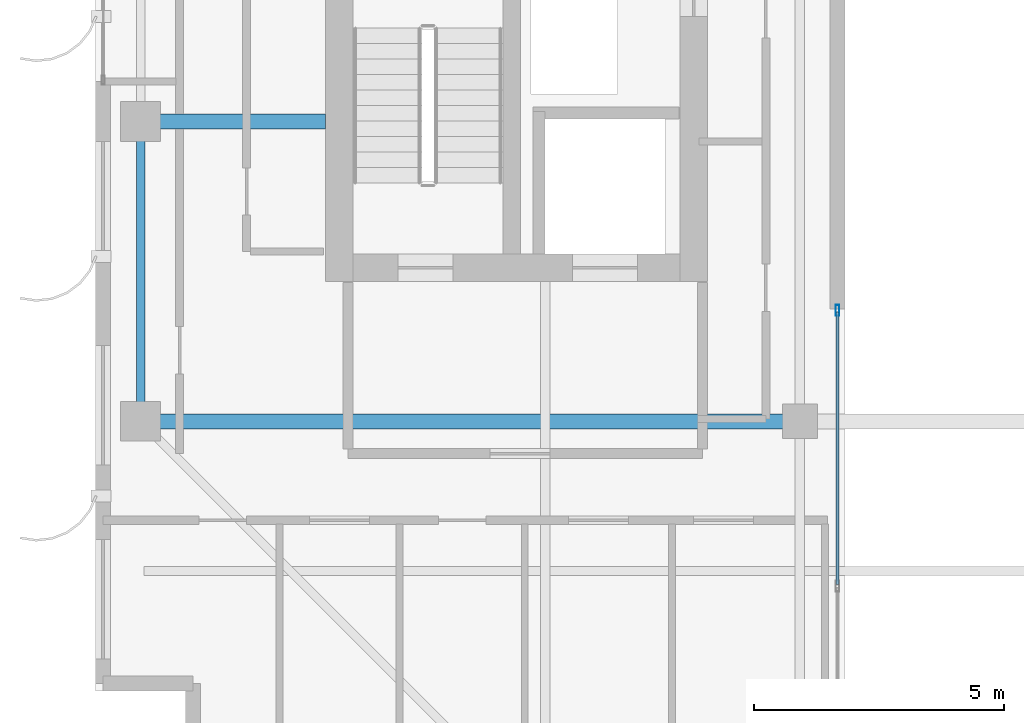
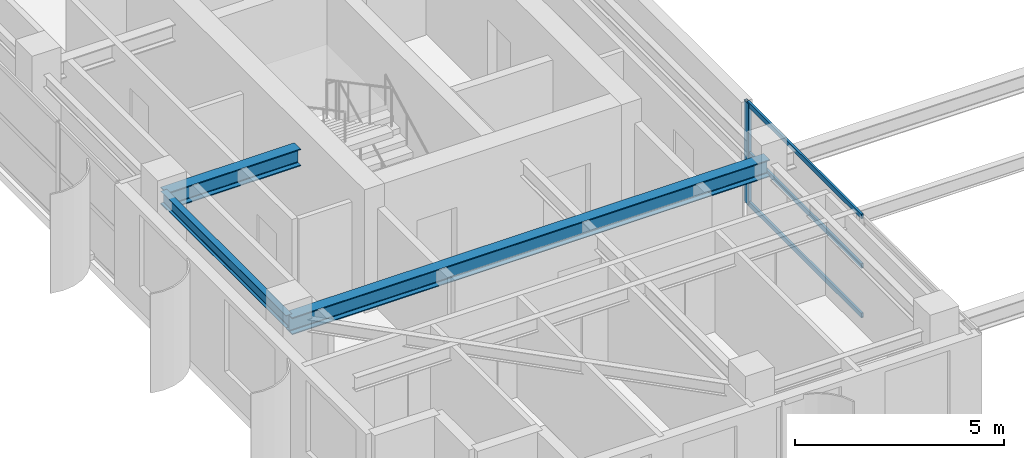
# One storey, part 3 of 25: 4 members, 3 beams, 1 element without a shape of its own.
"""IFC4 building model written with IfcOpenShell, lengths in metres."""

from ifc_helpers import new_model, si_unit, direction, frame, origin, origin_2d, place, context, subcontext, project, spatial, hollow_rectangle, i_section, extrude, source, transform, mapped, material, layer, layer_set, material_profile, profile_set, type_object, element, aggregate, save


model = new_model("IFC4")

# Units and contexts
model_context = context("Model", 3, precision=1e-05, world=origin(), true_north=direction((0.0, 1.0)))
body_context = subcontext(model_context, "Body", "Model", "MODEL_VIEW")
ifc_project = project(units=[si_unit("LENGTHUNIT", "METRE"), si_unit("AREAUNIT", "SQUARE_METRE"), si_unit("VOLUMEUNIT", "CUBIC_METRE"), si_unit("PLANEANGLEUNIT", "RADIAN"), si_unit("MASSUNIT", "GRAM", prefix="KILO")], contexts=[model_context])

# Site, building, storey
site_placement = place(None, origin())
site = spatial("IfcSite", under=ifc_project, at=site_placement, CompositionType="ELEMENT")
building_placement = place(site_placement, origin())
building = spatial("IfcBuilding", under=site, at=building_placement, Name="Khoralis Quay Care Tower", CompositionType="ELEMENT")
storey_placement = place(building_placement, frame((0.0, 0.0, 263.699951171875)))
storey = spatial("IfcBuildingStorey", under=building, at=storey_placement, Name="L69", CompositionType="ELEMENT", Elevation=263.699951171875)

# Beams
ifc_material_1 = material(Name="Steel S355", Category="steel")
ifc_material_profile_1 = material_profile(ifc_material_1, i_section(OverallWidth=0.169921875, OverallDepth=0.360107421875, WebThickness=0.008056640625, FlangeThickness=0.0126953125, FilletRadius=0.01806640625, at=origin_2d()), Name="Steel S355")
ifc_profile_set_1 = profile_set([ifc_material_profile_1], Name="Steel S355")
beam_type_1 = type_object("IfcBeamType", Name="BM-IPE360", PredefinedType="SPANDREL", material=ifc_profile_set_1)
shared_shape_1 = source(origin(), body_context, "Body", "SweptSolid", [
    extrude(i_section(OverallWidth=0.169921875, OverallDepth=0.360107421875, WebThickness=0.008056640625, FlangeThickness=0.0126953125, FilletRadius=0.01806640625, at=origin_2d()), origin(), (0.0, 0.0, 1.0), 6.0),
])
beam_1_placement = place(storey_placement, frame((3.89990234375, 12.0, 2.77001953125), z_axis=(0.0, 1.0, 0.0), x_axis=(-1.0, 0.0, 0.0)))
element("IfcBeam", 1, at=beam_1_placement, inside=storey, type_object=beam_type_1, Name="BM-TSP-L69-07", PredefinedType="SPANDREL", context=body_context, shape_type="MappedRepresentation", body=[
    mapped(shared_shape_1, transform((0.0, 0.0, 0.0), scale=1.0)),
])
ifc_material_profile_2 = material_profile(ifc_material_1, i_section(OverallWidth=0.300048828125, OverallDepth=0.5, WebThickness=0.014404296875, FlangeThickness=0.028076171875, FilletRadius=0.027099609375, at=origin_2d()), Name="Steel S355")
ifc_profile_set_2 = profile_set([ifc_material_profile_2], Name="Steel S355")
beam_type_2 = type_object("IfcBeamType", Name="BM-HEB500", PredefinedType="BEAM", material=ifc_profile_set_2)
shared_shape_2 = source(origin(), body_context, "Body", "SweptSolid", [
    extrude(i_section(OverallWidth=0.300048828125, OverallDepth=0.5, WebThickness=0.014404296875, FlangeThickness=0.028076171875, FilletRadius=0.027099609375, at=origin_2d()), origin(), (0.0, 0.0, 1.0), 13.2001953125),
])
beam_2_placement = place(storey_placement, frame((3.89990234375, 12.0, 2.699951171875), z_axis=(1.0, 0.0, 0.0), x_axis=(0.0, 1.0, 0.0)))
element("IfcBeam", 2, at=beam_2_placement, inside=storey, type_object=beam_type_2, Name="BM-TGXW-L69-120", PredefinedType="BEAM", context=body_context, shape_type="MappedRepresentation", body=[
    mapped(shared_shape_2, transform((0.0, 0.0, 0.0), scale=1.0)),
])
shared_shape_3 = source(origin(), body_context, "Body", "SweptSolid", [
    extrude(i_section(OverallWidth=0.300048828125, OverallDepth=0.5, WebThickness=0.014404296875, FlangeThickness=0.028076171875, FilletRadius=0.027099609375, at=origin_2d()), origin(), (0.0, 0.0, 1.0), 3.7021484375),
])
beam_3_placement = place(storey_placement, frame((3.89990234375, 18.0, 2.699951171875), z_axis=(1.0, 0.0, 0.0), x_axis=(0.0, 1.0, 0.0)))
element("IfcBeam", 3, at=beam_3_placement, inside=storey, type_object=beam_type_2, Name="BM-TGXW-L69-180", PredefinedType="BEAM", context=body_context, shape_type="MappedRepresentation", body=[
    mapped(shared_shape_3, transform((0.0, 0.0, 0.0), scale=1.0)),
])

# Curtain wall, members
ifc_material_2 = material(Name="Pale anodised aluminium", Category="aluminium")
ifc_layer = layer(ifc_material_2, 0.18994140625)
ifc_layer_set = layer_set([ifc_layer], Name="Pale anodised aluminium")
curtain_wall_type = type_object("IfcCurtainWallType", Name="CW-SYS-PORTAL", PredefinedType="NOTDEFINED", material=ifc_layer_set)
curtain_wall_placement = place(storey_placement, origin())
curtain_wall = element("IfcCurtainWall", 4, at=curtain_wall_placement, inside=storey, type_object=curtain_wall_type, Name="L69 Unitised Curtain Wall CW-VP-L69-P1-S", PredefinedType="NOTDEFINED")
ifc_material_profile_3 = material_profile(ifc_material_2, hollow_rectangle(XDim=0.074951171875, YDim=0.219970703125, WallThickness=0.00390625, at=origin_2d()), Name="Pale anodised aluminium")
ifc_profile_set_3 = profile_set([ifc_material_profile_3], Name="Pale anodised aluminium")
member_type_1 = type_object("IfcMemberType", Name="CW-MUL-220", PredefinedType="MULLION", material=ifc_profile_set_3)
shared_shape_4 = source(origin(), body_context, "Body", "SweptSolid", [
    extrude(hollow_rectangle(XDim=0.074951171875, YDim=0.219970703125, WallThickness=0.00390625, at=origin_2d()), origin(), (0.0, 0.0, 1.0), 2.949951171875),
])
member_1_placement = place(storey_placement, frame((17.85009765625, 14.219970703125, 0.0), z_axis=(0.0, 0.0, 1.0), x_axis=(-1.0, 0.0, 0.0)))
member_1 = element("IfcMember", 5, at=member_1_placement, type_object=member_type_1, Name="CW4 mullion 3", PredefinedType="MULLION", context=body_context, shape_type="MappedRepresentation", body=[
    mapped(shared_shape_4, transform((0.0, 0.0, 0.0), scale=1.0)),
])
ifc_material_profile_4 = material_profile(ifc_material_2, hollow_rectangle(XDim=0.06005859375, YDim=0.139892578125, WallThickness=0.00390625, at=origin_2d()), Name="Pale anodised aluminium")
ifc_profile_set_4 = profile_set([ifc_material_profile_4], Name="Pale anodised aluminium")
member_type_2 = type_object("IfcMemberType", Name="CW-TRN-140", PredefinedType="USERDEFINED", material=ifc_profile_set_4)
shared_shape_5 = source(origin(), body_context, "Body", "SweptSolid", [
    extrude(hollow_rectangle(XDim=0.06005859375, YDim=0.139892578125, WallThickness=0.00390625, at=origin_2d()), origin(), (0.0, 0.0, 1.0), 5.4599609375),
])
member_2_placement = place(storey_placement, frame((17.85009765625, 8.72998046875, 0.030029296875), z_axis=(0.0, 1.0, 0.0), x_axis=(-1.0, 0.0, 0.0)))
member_2 = element("IfcMember", 6, at=member_2_placement, type_object=member_type_2, Name="CW4 transom 2.1", ObjectType="TRANSOM", PredefinedType="USERDEFINED", context=body_context, shape_type="MappedRepresentation", body=[
    mapped(shared_shape_5, transform((0.0, 0.0, 0.0), scale=1.0)),
])
member_3_placement = place(storey_placement, frame((17.85009765625, 8.72998046875, 1.47509765625), z_axis=(0.0, 1.0, 0.0), x_axis=(-1.0, 0.0, 0.0)))
member_3 = element("IfcMember", 7, at=member_3_placement, type_object=member_type_2, Name="CW4 transom 2.2", ObjectType="TRANSOM", PredefinedType="USERDEFINED", context=body_context, shape_type="MappedRepresentation", body=[
    mapped(shared_shape_5, transform((0.0, 0.0, 0.0), scale=1.0)),
])
member_4_placement = place(storey_placement, frame((17.85009765625, 8.72998046875, 2.920166015625), z_axis=(0.0, 1.0, 0.0), x_axis=(-1.0, 0.0, 0.0)))
member_4 = element("IfcMember", 8, at=member_4_placement, type_object=member_type_2, Name="CW4 transom 2.3", ObjectType="TRANSOM", PredefinedType="USERDEFINED", context=body_context, shape_type="MappedRepresentation", body=[
    mapped(shared_shape_5, transform((0.0, 0.0, 0.0), scale=1.0)),
])
aggregate(curtain_wall, [member_1, member_2, member_3, member_4])

save(model, "model.ifc")
